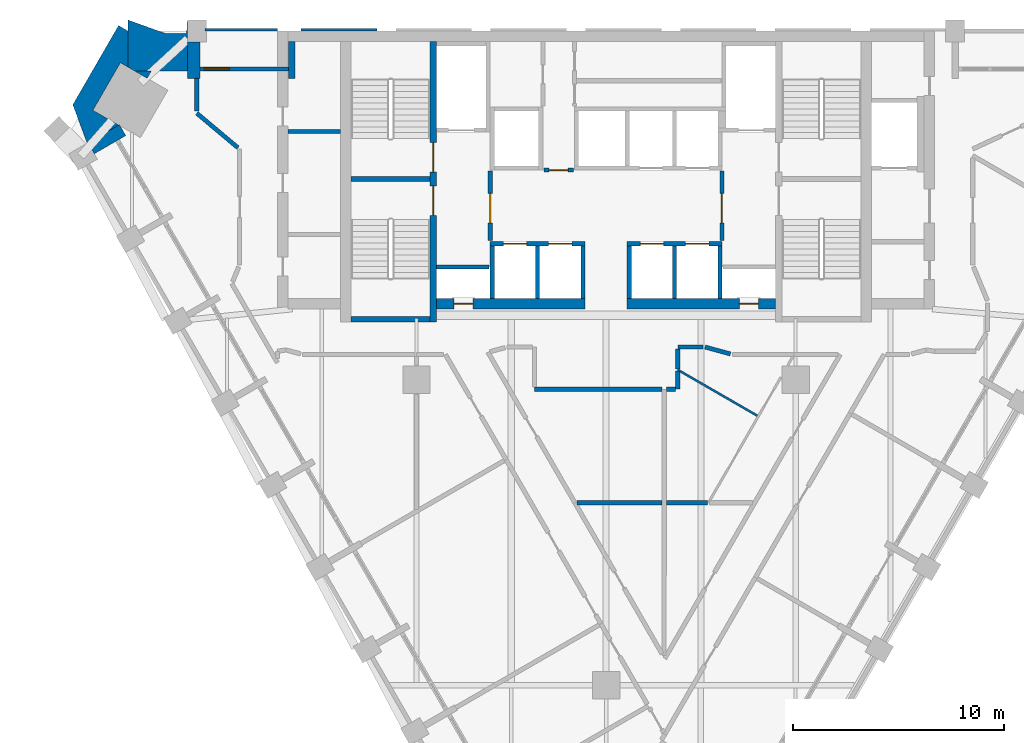
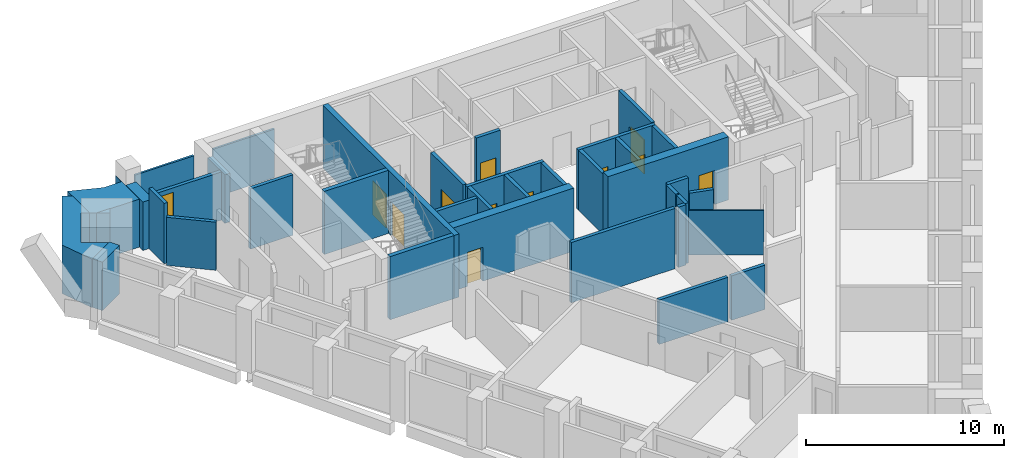
# One storey, part 5 of 9: 38 walls, 12 doors, 12 openings.
"""IFC4 building model written with IfcOpenShell, lengths in metres."""

from ifc_helpers import new_model, si_unit, direction, frame, frame_2d, origin, place, context, subcontext, project, spatial, polyline, rectangle, outline, extrude, material, layer, layer_set, type_object, element, fill, save


model = new_model("IFC4")

# Units and contexts
model_context = context("Model", 3, precision=1e-05, world=origin(), true_north=direction((0.0, 1.0)))
body_context = subcontext(model_context, "Body", "Model", "MODEL_VIEW")
ifc_project = project(units=[si_unit("LENGTHUNIT", "METRE"), si_unit("AREAUNIT", "SQUARE_METRE"), si_unit("VOLUMEUNIT", "CUBIC_METRE"), si_unit("PLANEANGLEUNIT", "RADIAN"), si_unit("MASSUNIT", "GRAM", prefix="KILO")], contexts=[model_context])

# Site, building, storey
site_placement = place(None, origin())
site = spatial("IfcSite", under=ifc_project, at=site_placement, CompositionType="ELEMENT")
building_placement = place(site_placement, origin())
building = spatial("IfcBuilding", under=site, at=building_placement, Name="Calabash Gate Tower", CompositionType="ELEMENT")
storey_placement = place(building_placement, frame((0.0, 0.0, 179.699951171875)))
storey = spatial("IfcBuildingStorey", under=building, at=storey_placement, Name="L42", CompositionType="ELEMENT", Elevation=179.699951171875)

# Walls
ifc_material_1 = material(Name="Terracotta brick masonry, exposed face", Category="masonry")
ifc_layer_1 = layer(ifc_material_1, 2.425048828125)
ifc_layer_set_1 = layer_set([ifc_layer_1], Name="Brick corner mass wall 2425")
wall_type_1 = type_object("IfcWallType", Name="Brick corner mass wall 2425", PredefinedType="SOLIDWALL", material=ifc_layer_set_1)
wall_1_placement = place(storey_placement, origin())
element("IfcWall", 1, at=wall_1_placement, inside=storey, type_object=wall_type_1, Name="Brick corner pier S12 4a", PredefinedType="SOLIDWALL", context=body_context, shape_type="SweptSolid", body=[
    extrude(outline(polyline([(-22.376220703125, 17.152587890625), (-19.878173828125, 17.152587890625), (-19.878173828125, 19.57763671875), (-19.916015625, 18.93701171875), (-20.916015625, 18.93701171875), (-22.68798828125, 19.57763671875), (-22.68798828125, 17.33251953125), (-22.376220703125, 17.152587890625)])), origin(), (0.0, 0.0, 1.0), 2.9736328125),
])
wall_2_placement = place(storey_placement, origin())
element("IfcWall", 2, at=wall_2_placement, inside=storey, type_object=wall_type_1, Name="Brick corner pier S12 4ba", PredefinedType="SOLIDWALL", context=body_context, shape_type="SweptSolid", body=[
    extrude(outline(polyline([(-24.630126953125, 13.730712890625), (-23.137939453125, 14.590087890625), (-24.353759765625, 15.292236328125), (-23.0537109375, 17.5439453125), (-22.68798828125, 17.33251953125), (-22.68798828125, 19.052490234375), (-23.142578125, 19.31494140625), (-25.313232421875, 15.555419921875), (-24.630126953125, 13.730712890625)])), origin(), (0.0, 0.0, 1.0), 3.0),
])
wall_3_placement = place(storey_placement, origin())
element("IfcWall", 3, at=wall_3_placement, inside=storey, type_object=wall_type_1, Name="Brick corner pier S12 4bb", PredefinedType="SOLIDWALL", context=body_context, shape_type="SweptSolid", body=[
    extrude(outline(polyline([(-21.5908203125, 17.152587890625), (-22.376220703125, 17.152587890625), (-21.787353515625, 16.8125), (-21.5908203125, 17.152587890625)])), origin(), (0.0, 0.0, 1.0), 3.0),
])
ifc_material_2 = material(Name="Terracotta brick masonry, exposed face", Category="masonry")
ifc_layer_2 = layer(ifc_material_2, 0.300048828125)
ifc_layer_set_2 = layer_set([ifc_layer_2], Name="Brick loggia cheek wall 300")
wall_type_2 = type_object("IfcWallType", Name="Brick loggia cheek wall 300", PredefinedType="SOLIDWALL", material=ifc_layer_set_2)
wall_4_placement = place(storey_placement, frame((-22.954345703125, 14.349609375, 0.0), z_axis=(0.0, 0.0, 1.0), x_axis=(-0.865994550583, -0.500053435504, 0.0)))
element("IfcWall", 4, at=wall_4_placement, inside=storey, type_object=wall_type_2, Name="Loggia cheek S12 SW0.0", PredefinedType="SOLIDWALL", context=body_context, shape_type="SweptSolid", body=[
    extrude(rectangle(XDim=1.723876953125, YDim=0.60009765625, at=frame_2d((0.86181640625, 0.0))), origin(), (0.0, 0.0, 1.0), 3.0),
])
wall_5_placement = place(storey_placement, origin())
element("IfcWall", 5, at=wall_5_placement, inside=storey, type_object=wall_type_2, Name="Loggia cheek S12 N6.8", PredefinedType="SOLIDWALL", context=body_context, shape_type="SweptSolid", body=[
    extrude(outline(polyline([(-15.078125, 16.802490234375), (-15.078125, 18.5546875), (-14.778076171875, 18.5546875), (-14.778076171875, 16.802490234375), (-15.078125, 16.802490234375)])), origin(), (0.0, 0.0, 1.0), 3.0),
])
wall_6_placement = place(storey_placement, origin())
element("IfcWall", 6, at=wall_6_placement, inside=storey, type_object=wall_type_2, Name="Loggia cheek S12 N6.9", PredefinedType="SOLIDWALL", context=body_context, shape_type="SweptSolid", body=[
    extrude(outline(polyline([(-19.878173828125, 18.527587890625), (-19.878173828125, 16.802490234375), (-19.278076171875, 16.802490234375), (-19.278076171875, 18.527587890625), (-19.878173828125, 18.527587890625)])), origin(), (0.0, 0.0, 1.0), 3.0),
])
ifc_material_3 = material(Name="Gypsum board on steel studs, mineral wool", Category="steel")
ifc_layer_3 = layer(ifc_material_3, 0.199951171875)
ifc_layer_set_3 = layer_set([ifc_layer_3], Name="Core partition 200 gypsum board")
wall_type_3 = type_object("IfcWallType", Name="Core partition 200 gypsum board", PredefinedType="PARTITIONING", material=ifc_layer_set_3)
wall_7_placement = place(storey_placement, frame((-15.10009765625, 14.28271484375, 0.0), z_axis=(0.0, 0.0, 1.0), x_axis=(1.0, 0.0, 0.0)))
element("IfcWall", 7, at=wall_7_placement, inside=storey, type_object=wall_type_3, Name="Core partition", PredefinedType="PARTITIONING", context=body_context, shape_type="SweptSolid", body=[
    extrude(rectangle(XDim=2.5, YDim=0.199951171875, at=frame_2d((1.25, 0.0))), origin(), (0.0, 0.0, 1.0), 3.72998046875),
])
ifc_material_4 = material(Name="Concrete C70/85", Category="concrete")
ifc_layer_4 = layer(ifc_material_4, 0.25)
ifc_layer_set_4 = layer_set([ifc_layer_4], Name="Core wall 250 Concrete C70/85")
wall_type_4 = type_object("IfcWallType", Name="Core wall 250 Concrete C70/85", PredefinedType="SHEAR", material=ifc_layer_set_4)
for number, where, z_axis, x_axis, name in (
    (8, (-12.10009765625, 12.027587890625, 0.0), (0.0, 0.0, 1.0), (1.0, 0.0, 0.0), "Core wall Z3-MIDW L42"),
    (9, (-12.10009765625, 5.377685546875, 0.0), (0.0, 0.0, 1.0), (1.0, 0.0, 0.0), "Core wall Z3-SSW L42"),
):
    element("IfcWall", number, at=place(storey_placement, frame(where, z_axis=z_axis, x_axis=x_axis)), inside=storey, type_object=wall_type_4, Name=name, PredefinedType="SHEAR", context=body_context, shape_type="SweptSolid", body=[
        extrude(rectangle(XDim=3.75, YDim=0.25, at=frame_2d((1.875, 0.0))), origin(), (0.0, 0.0, 1.0), 3.900146484375),
    ])

# Wall, openings, doors
ifc_material_5 = material(Name="Concrete C70/85", Category="concrete")
ifc_layer_5 = layer(ifc_material_5, 0.300048828125)
ifc_layer_set_5 = layer_set([ifc_layer_5], Name="Core wall 300 Concrete C70/85")
wall_type_5 = type_object("IfcWallType", Name="Core wall 300 Concrete C70/85", PredefinedType="SHEAR", material=ifc_layer_set_5)
wall_8_placement = place(storey_placement, frame((-8.199951171875, 5.252685546875, 0.0), z_axis=(0.0, 0.0, 1.0), x_axis=(0.0, 1.0, 0.0)))
wall_8 = element("IfcWall", 10, at=wall_8_placement, inside=storey, type_object=wall_type_5, Name="Core wall Z3-PARTW L42", PredefinedType="SHEAR", context=body_context, shape_type="SweptSolid", body=[
    extrude(rectangle(XDim=13.2998046875, YDim=0.300048828125, at=frame_2d((6.64990234375, 0.0))), origin(), (0.0, 0.0, 1.0), 3.900146484375),
])
opening_1_placement = place(wall_8_placement, frame((7.10009765625, 0.0, 0.0)))
opening_1 = element("IfcOpeningElement", 11, at=opening_1_placement, cuts=wall_8, Name="Opening O4-015", PredefinedType="OPENING", context=body_context, shape_type="SweptSolid", body=[
    extrude(rectangle(XDim=1.39990234375, YDim=2.10009765625, at=frame_2d((0.699951171875, 1.050048828125))), frame((0.0, 0.159912109375, 0.0), z_axis=(0.0, -1.0, 0.0), x_axis=(1.0, 0.0, 0.0)), (0.0, 0.0, 1.0), 0.320068359375),
])
opening_2_placement = place(wall_8_placement, frame((5.050048828125, 0.0, 0.0)))
opening_2 = element("IfcOpeningElement", 12, at=opening_2_placement, cuts=wall_8, Name="Opening O4-016", PredefinedType="OPENING", context=body_context, shape_type="SweptSolid", body=[
    extrude(rectangle(XDim=1.39990234375, YDim=2.10009765625, at=frame_2d((0.699951171875, 1.050048828125))), frame((0.0, 0.159912109375, 0.0), z_axis=(0.0, -1.0, 0.0), x_axis=(1.0, 0.0, 0.0)), (0.0, 0.0, 1.0), 0.320068359375),
])
ifc_material_6 = material(Name="Steel fire door set with fire-resisting glazing", Category="steel")
door_type_1 = type_object("IfcDoorType", Name="Fire door D05 1400x2100 FD90", OperationType="NOTDEFINED", PredefinedType="DOOR", material=ifc_material_6)
door_1_placement = place(opening_1_placement, origin())
door_1 = element("IfcDoor", 13, at=door_1_placement, inside=storey, type_object=door_type_1, Name="Exit stair door ST1", OperationType="SINGLE_SWING_LEFT", OverallHeight=2.10009765625, OverallWidth=1.39990234375, PredefinedType="DOOR", context=body_context, shape_type="SweptSolid", body=[
    extrude(rectangle(XDim=1.39990234375, YDim=2.10009765625, at=frame_2d((0.699951171875, 1.050048828125))), frame((0.0, 0.02490234375, 0.0), z_axis=(0.0, -1.0, 0.0), x_axis=(1.0, 0.0, 0.0)), (0.0, 0.0, 1.0), 0.050048828125),
])
fill(opening_1, door_1)
door_2_placement = place(opening_2_placement, origin())
door_2 = element("IfcDoor", 14, at=door_2_placement, inside=storey, type_object=door_type_1, Name="Exit stair door ST2", OperationType="SINGLE_SWING_LEFT", OverallHeight=2.10009765625, OverallWidth=1.39990234375, PredefinedType="DOOR", context=body_context, shape_type="SweptSolid", body=[
    extrude(rectangle(XDim=1.39990234375, YDim=2.10009765625, at=frame_2d((0.699951171875, 1.050048828125))), frame((0.0, 0.02490234375, 0.0), z_axis=(0.0, -1.0, 0.0), x_axis=(1.0, 0.0, 0.0)), (0.0, 0.0, 1.0), 0.050048828125),
])
fill(opening_2, door_2)

# Wall, opening, door
ifc_material_7 = material(Name="Concrete C70/85", Category="concrete")
ifc_layer_6 = layer(ifc_material_7, 0.5)
ifc_layer_set_6 = layer_set([ifc_layer_6], Name="Core wall 500 Concrete C70/85")
wall_type_6 = type_object("IfcWallType", Name="Core wall 500 Concrete C70/85", PredefinedType="SHEAR", material=ifc_layer_set_6)
wall_9_placement = place(storey_placement, frame((-8.050048828125, 6.1025390625, 0.0), z_axis=(0.0, 0.0, 1.0), x_axis=(1.0, 0.0, 0.0)))
wall_9 = element("IfcWall", 15, at=wall_9_placement, inside=storey, type_object=wall_type_6, Name="Core wall Z3-SA L42", PredefinedType="SHEAR", context=body_context, shape_type="SweptSolid", body=[
    extrude(rectangle(XDim=7.050048828125, YDim=0.5, at=frame_2d((3.52490234375, 0.0))), origin(), (0.0, 0.0, 1.0), 3.900146484375),
])
opening_3_placement = place(wall_9_placement, frame((0.824951171875, 0.0, 0.0)))
opening_3 = element("IfcOpeningElement", 16, at=opening_3_placement, cuts=wall_9, Name="Opening O4-014", PredefinedType="OPENING", context=body_context, shape_type="SweptSolid", body=[
    extrude(rectangle(XDim=0.89990234375, YDim=2.10009765625, at=frame_2d((0.449951171875, 1.050048828125))), frame((0.0, 0.260009765625, 0.0), z_axis=(0.0, -1.0, 0.0), x_axis=(1.0, 0.0, 0.0)), (0.0, 0.0, 1.0), 0.52001953125),
])
ifc_material_8 = material(Name="Steel fire door set with fire-resisting glazing", Category="steel")
door_type_2 = type_object("IfcDoorType", Name="Fire door D07 900x2100 FD90", OperationType="NOTDEFINED", PredefinedType="DOOR", material=ifc_material_8)
door_3_placement = place(opening_3_placement, origin())
door_3 = element("IfcDoor", 17, at=door_3_placement, inside=storey, type_object=door_type_2, Name="Electrical Riser W door", OperationType="SINGLE_SWING_LEFT", OverallHeight=2.10009765625, OverallWidth=0.89990234375, PredefinedType="DOOR", context=body_context, shape_type="SweptSolid", body=[
    extrude(rectangle(XDim=0.89990234375, YDim=2.10009765625, at=frame_2d((0.449951171875, 1.050048828125))), frame((0.0, 0.02490234375, 0.0), z_axis=(0.0, -1.0, 0.0), x_axis=(1.0, 0.0, 0.0)), (0.0, 0.0, 1.0), 0.050048828125),
])
fill(opening_3, door_3)

wall_10_placement = place(storey_placement, frame((1.0, 6.1025390625, 0.0), z_axis=(0.0, 0.0, 1.0), x_axis=(1.0, 0.0, 0.0)))
wall_10 = element("IfcWall", 18, at=wall_10_placement, inside=storey, type_object=wall_type_6, Name="Core wall Z3-SB L42", PredefinedType="SHEAR", context=body_context, shape_type="SweptSolid", body=[
    extrude(rectangle(XDim=7.050048828125, YDim=0.5, at=frame_2d((3.52490234375, 0.0))), origin(), (0.0, 0.0, 1.0), 3.900146484375),
])
opening_4_placement = place(wall_10_placement, frame((5.324951171875, 0.0, 0.0)))
opening_4 = element("IfcOpeningElement", 19, at=opening_4_placement, cuts=wall_10, Name="Opening O4-013", PredefinedType="OPENING", context=body_context, shape_type="SweptSolid", body=[
    extrude(rectangle(XDim=0.89990234375, YDim=2.10009765625, at=frame_2d((0.449951171875, 1.050048828125))), frame((0.0, 0.260009765625, 0.0), z_axis=(0.0, -1.0, 0.0), x_axis=(1.0, 0.0, 0.0)), (0.0, 0.0, 1.0), 0.52001953125),
])
door_4_placement = place(opening_4_placement, origin())
door_4 = element("IfcDoor", 20, at=door_4_placement, inside=storey, type_object=door_type_2, Name="Mechanical Riser E door", OperationType="SINGLE_SWING_RIGHT", OverallHeight=2.10009765625, OverallWidth=0.89990234375, PredefinedType="DOOR", context=body_context, shape_type="SweptSolid", body=[
    extrude(rectangle(XDim=0.89990234375, YDim=2.10009765625, at=frame_2d((0.449951171875, 1.050048828125))), frame((0.0, 0.02490234375, 0.0), z_axis=(0.0, -1.0, 0.0), x_axis=(1.0, 0.0, 0.0)), (0.0, 0.0, 1.0), 0.050048828125),
])
fill(opening_4, door_4)

# Walls
ifc_material_9 = material(Name="Gypsum board on steel studs, mineral wool", Category="steel")
ifc_layer_7 = layer(ifc_material_9, 0.10009765625)
ifc_layer_set_7 = layer_set([ifc_layer_7], Name="Partition 100 gypsum board")
wall_type_7 = type_object("IfcWallType", Name="Partition 100 gypsum board", PredefinedType="PARTITIONING", material=ifc_layer_set_7)
wall_11_placement = place(storey_placement, frame((3.400390625, 2.974609375, 0.0), z_axis=(0.0, 0.0, 1.0), x_axis=(0.866040401994, -0.49997402144, 0.0)))
element("IfcWall", 21, at=wall_11_placement, inside=storey, type_object=wall_type_7, Name="Partition", PredefinedType="PARTITIONING", context=body_context, shape_type="SweptSolid", body=[
    extrude(rectangle(XDim=4.368408203125, YDim=0.10009765625, at=frame_2d((2.18408203125, 0.0))), origin(), (0.0, 0.0, 1.0), 2.74169921875),
])
ifc_material_10 = material(Name="Gypsum board on steel studs, mineral wool", Category="steel")
ifc_layer_8 = layer(ifc_material_10, 0.199951171875)
ifc_layer_set_8 = layer_set([ifc_layer_8], Name="Partition 200 gypsum board EI 60")
wall_type_8 = type_object("IfcWallType", Name="Partition 200 gypsum board EI 60", PredefinedType="PARTITIONING", material=ifc_layer_set_8)
wall_12_placement = place(storey_placement, frame((-1.379638671875, -3.341796875, 0.0), z_axis=(0.0, 0.0, 1.0), x_axis=(1.0, 0.0, 0.0)))
element("IfcWall", 22, at=wall_12_placement, inside=storey, type_object=wall_type_8, Name="Partition", PredefinedType="PARTITIONING", context=body_context, shape_type="SweptSolid", body=[
    extrude(rectangle(XDim=4.033935546875, YDim=0.199951171875, at=frame_2d((2.01708984375, 0.0))), origin(), (0.0, 0.0, 1.0), 2.74169921875),
])
wall_13_placement = place(storey_placement, frame((2.856201171875, -3.337890625, 0.0), z_axis=(0.0, 0.0, 1.0), x_axis=(1.0, 0.0, 0.0)))
element("IfcWall", 23, at=wall_13_placement, inside=storey, type_object=wall_type_8, Name="Partition", PredefinedType="PARTITIONING", context=body_context, shape_type="SweptSolid", body=[
    extrude(rectangle(XDim=1.95361328125, YDim=0.199951171875, at=frame_2d((0.976806640625, 0.0))), origin(), (0.0, 0.0, 1.0), 2.74169921875),
])
wall_14_placement = place(storey_placement, frame((-3.400146484375, 2.052490234375, 0.0), z_axis=(0.0, 0.0, 1.0), x_axis=(0.999999947967, -0.000322593636, 0.0)))
element("IfcWall", 24, at=wall_14_placement, inside=storey, type_object=wall_type_8, Name="Partition", PredefinedType="PARTITIONING", context=body_context, shape_type="SweptSolid", body=[
    extrude(rectangle(XDim=6.054443359375, YDim=0.199951171875, at=frame_2d((3.02734375, 0.0))), origin(), (0.0, 0.0, 1.0), 3.72998046875),
])
wall_15_placement = place(storey_placement, frame((2.856201171875, 2.05078125, 0.0), z_axis=(0.0, 0.0, 1.0), x_axis=(0.999996218015, 0.002750264626, 0.0)))
element("IfcWall", 25, at=wall_15_placement, inside=storey, type_object=wall_type_8, Name="Partition", PredefinedType="PARTITIONING", context=body_context, shape_type="SweptSolid", body=[
    extrude(rectangle(XDim=0.44384765625, YDim=0.199951171875, at=frame_2d((0.221923828125, 0.0))), origin(), (0.0, 0.0, 1.0), 3.72998046875),
])
wall_16_placement = place(storey_placement, frame((3.39990234375, 2.052490234375, 0.0), z_axis=(0.0, 0.0, 1.0), x_axis=(0.002247816743, 0.999997473657, 0.0)))
element("IfcWall", 26, at=wall_16_placement, inside=storey, type_object=wall_type_8, Name="Partition", PredefinedType="PARTITIONING", context=body_context, shape_type="SweptSolid", body=[
    extrude(rectangle(XDim=0.868896484375, YDim=0.199951171875, at=frame_2d((0.4345703125, 0.0))), origin(), (0.0, 0.0, 1.0), 3.72998046875),
])
wall_17_placement = place(storey_placement, frame((4.699951171875, 4.052490234375, 0.0), z_axis=(0.0, 0.0, 1.0), x_axis=(0.965137813174, -0.26174224264, 0.0)))
element("IfcWall", 27, at=wall_17_placement, inside=storey, type_object=wall_type_8, Name="Partition", PredefinedType="PARTITIONING", context=body_context, shape_type="SweptSolid", body=[
    extrude(rectangle(XDim=1.2470703125, YDim=0.199951171875, at=frame_2d((0.62353515625, 0.0))), origin(), (0.0, 0.0, 1.0), 2.74169921875),
])
wall_18_placement = place(storey_placement, frame((3.402099609375, 3.021728515625, 0.0), z_axis=(0.0, 0.0, 1.0), x_axis=(0.0, 1.0, 0.0)))
element("IfcWall", 28, at=wall_18_placement, inside=storey, type_object=wall_type_8, Name="Partition", PredefinedType="PARTITIONING", context=body_context, shape_type="SweptSolid", body=[
    extrude(rectangle(XDim=0.928955078125, YDim=0.199951171875, at=frame_2d((0.46435546875, 0.0))), origin(), (0.0, 0.0, 1.0), 3.72998046875),
])
wall_19_placement = place(storey_placement, frame((3.402099609375, 4.050537109375, 0.0), z_axis=(0.0, 0.0, 1.0), x_axis=(0.999998982503, 0.001426532072, 0.0)))
element("IfcWall", 29, at=wall_19_placement, inside=storey, type_object=wall_type_8, Name="Partition", PredefinedType="PARTITIONING", context=body_context, shape_type="SweptSolid", body=[
    extrude(rectangle(XDim=1.197998046875, YDim=0.199951171875, at=frame_2d((0.59912109375, 0.0))), origin(), (0.0, 0.0, 1.0), 3.72998046875),
])
wall_20_placement = place(storey_placement, frame((-19.428466796875, 15.15234375, 0.0), z_axis=(0.0, 0.0, 1.0), x_axis=(0.766371208191, -0.642397985097, 0.0)))
element("IfcWall", 30, at=wall_20_placement, inside=storey, type_object=wall_type_8, Name="Partition", PredefinedType="PARTITIONING", context=body_context, shape_type="SweptSolid", body=[
    extrude(rectangle(XDim=2.54638671875, YDim=0.199951171875, at=frame_2d((1.273193359375, 0.0))), origin(), (0.0, 0.0, 1.0), 2.9736328125),
])
wall_21_placement = place(storey_placement, frame((-19.4287109375, 16.802490234375, 0.0), z_axis=(0.0, 0.0, 1.0), x_axis=(0.000157480313, -0.9999999876, 0.0)))
element("IfcWall", 31, at=wall_21_placement, inside=storey, type_object=wall_type_8, Name="Partition", PredefinedType="PARTITIONING", context=body_context, shape_type="SweptSolid", body=[
    extrude(rectangle(XDim=1.55029296875, YDim=0.199951171875, at=frame_2d((0.775146484375, 0.0))), origin(), (0.0, 0.0, 1.0), 3.72998046875),
])
ifc_material_11 = material(Name="Concrete C40/50", Category="concrete")
ifc_layer_9 = layer(ifc_material_11, 0.199951171875)
ifc_layer_set_9 = layer_set([ifc_layer_9], Name="Shaft wall 200 Concrete C40/50")
wall_type_9 = type_object("IfcWallType", Name="Shaft wall 200 Concrete C40/50", PredefinedType="SOLIDWALL", material=ifc_layer_set_9)
for number, where, z_axis, x_axis, name in (
    (32, (-5.39990234375, 6.3525390625, 0.0), (0.0, 0.0, 1.0), (0.0, 1.0, 0.0), "Shaft wall"),
    (33, (-3.25, 6.3525390625, 0.0), (0.0, 0.0, 1.0), (0.0, 1.0, 0.0), "Shaft wall"),
    (34, (-1.10009765625, 6.3525390625, 0.0), (0.0, 0.0, 1.0), (0.0, 1.0, 0.0), "Shaft wall"),
    (35, (1.10009765625, 6.3525390625, 0.0), (0.0, 0.0, 1.0), (0.0, 1.0, 0.0), "Shaft wall"),
    (36, (3.25, 6.3525390625, 0.0), (0.0, 0.0, 1.0), (0.0, 1.0, 0.0), "Shaft wall"),
    (37, (5.39990234375, 6.3525390625, 0.0), (0.0, 0.0, 1.0), (0.0, 1.0, 0.0), "Shaft wall"),
    (38, (-8.050048828125, 7.8525390625, 0.0), (0.0, 0.0, 1.0), (1.0, 0.0, 0.0), "Shaft wall"),
):
    element("IfcWall", number, at=place(storey_placement, frame(where, z_axis=z_axis, x_axis=x_axis)), inside=storey, type_object=wall_type_9, Name=name, PredefinedType="SOLIDWALL", context=body_context, shape_type="SweptSolid", body=[
        extrude(rectangle(XDim=2.5, YDim=0.199951171875, at=frame_2d((1.25, 0.0))), origin(), (0.0, 0.0, 1.0), 3.72998046875),
    ])

# Wall, openings, doors
wall_22_placement = place(storey_placement, frame((-5.5, 8.95263671875, 0.0), z_axis=(0.0, 0.0, 1.0), x_axis=(1.0, 0.0, 0.0)))
wall_22 = element("IfcWall", 39, at=wall_22_placement, inside=storey, type_object=wall_type_9, Name="Shaft wall", PredefinedType="SOLIDWALL", context=body_context, shape_type="SweptSolid", body=[
    extrude(rectangle(XDim=4.5, YDim=0.199951171875, at=frame_2d((2.25, 0.0))), origin(), (0.0, 0.0, 1.0), 3.72998046875),
])
opening_5_placement = place(wall_22_placement, frame((0.625, 0.0, 0.0)))
opening_5 = element("IfcOpeningElement", 40, at=opening_5_placement, cuts=wall_22, Name="Opening LD-HR1", PredefinedType="OPENING", context=body_context, shape_type="SweptSolid", body=[
    extrude(rectangle(XDim=1.10009765625, YDim=2.10009765625, at=frame_2d((0.550048828125, 1.050048828125))), frame((0.0, 0.10986328125, 0.0), z_axis=(0.0, -1.0, 0.0), x_axis=(1.0, 0.0, 0.0)), (0.0, 0.0, 1.0), 0.219970703125),
])
opening_6_placement = place(wall_22_placement, frame((2.77490234375, 0.0, 0.0)))
opening_6 = element("IfcOpeningElement", 41, at=opening_6_placement, cuts=wall_22, Name="Opening LD-HR2", PredefinedType="OPENING", context=body_context, shape_type="SweptSolid", body=[
    extrude(rectangle(XDim=1.10009765625, YDim=2.10009765625, at=frame_2d((0.550048828125, 1.050048828125))), frame((0.0, 0.10986328125, 0.0), z_axis=(0.0, -1.0, 0.0), x_axis=(1.0, 0.0, 0.0)), (0.0, 0.0, 1.0), 0.219970703125),
])
ifc_material_12 = material(Name="Stainless steel sliding door leaves", Category="steel")
door_type_3 = type_object("IfcDoorType", Name="Lift landing door LS1 1100x2100 FD90", OperationType="DOUBLE_DOOR_SLIDING", PredefinedType="DOOR", material=ifc_material_12)
door_5_placement = place(opening_5_placement, origin())
door_5 = element("IfcDoor", 42, at=door_5_placement, inside=storey, type_object=door_type_3, Name="Lift landing door HR1", OperationType="DOUBLE_DOOR_SLIDING", OverallHeight=2.10009765625, OverallWidth=1.10009765625, PredefinedType="DOOR", context=body_context, shape_type="SweptSolid", body=[
    extrude(rectangle(XDim=1.10009765625, YDim=2.10009765625, at=frame_2d((0.550048828125, 1.050048828125))), frame((0.0, 0.02490234375, 0.0), z_axis=(0.0, -1.0, 0.0), x_axis=(1.0, 0.0, 0.0)), (0.0, 0.0, 1.0), 0.050048828125),
])
fill(opening_5, door_5)
door_6_placement = place(opening_6_placement, origin())
door_6 = element("IfcDoor", 43, at=door_6_placement, inside=storey, type_object=door_type_3, Name="Lift landing door HR2", OperationType="DOUBLE_DOOR_SLIDING", OverallHeight=2.10009765625, OverallWidth=1.10009765625, PredefinedType="DOOR", context=body_context, shape_type="SweptSolid", body=[
    extrude(rectangle(XDim=1.10009765625, YDim=2.10009765625, at=frame_2d((0.550048828125, 1.050048828125))), frame((0.0, 0.02490234375, 0.0), z_axis=(0.0, -1.0, 0.0), x_axis=(1.0, 0.0, 0.0)), (0.0, 0.0, 1.0), 0.050048828125),
])
fill(opening_6, door_6)

wall_23_placement = place(storey_placement, frame((1.0, 8.95263671875, 0.0), z_axis=(0.0, 0.0, 1.0), x_axis=(1.0, 0.0, 0.0)))
wall_23 = element("IfcWall", 44, at=wall_23_placement, inside=storey, type_object=wall_type_9, Name="Shaft wall", PredefinedType="SOLIDWALL", context=body_context, shape_type="SweptSolid", body=[
    extrude(rectangle(XDim=4.5, YDim=0.199951171875, at=frame_2d((2.25, 0.0))), origin(), (0.0, 0.0, 1.0), 3.72998046875),
])
opening_7_placement = place(wall_23_placement, frame((0.625, 0.0, 0.0)))
opening_7 = element("IfcOpeningElement", 45, at=opening_7_placement, cuts=wall_23, Name="Opening LD-HR3", PredefinedType="OPENING", context=body_context, shape_type="SweptSolid", body=[
    extrude(rectangle(XDim=1.10009765625, YDim=2.10009765625, at=frame_2d((0.550048828125, 1.050048828125))), frame((0.0, 0.10986328125, 0.0), z_axis=(0.0, -1.0, 0.0), x_axis=(1.0, 0.0, 0.0)), (0.0, 0.0, 1.0), 0.219970703125),
])
opening_8_placement = place(wall_23_placement, frame((2.77490234375, 0.0, 0.0)))
opening_8 = element("IfcOpeningElement", 46, at=opening_8_placement, cuts=wall_23, Name="Opening LD-HR4", PredefinedType="OPENING", context=body_context, shape_type="SweptSolid", body=[
    extrude(rectangle(XDim=1.10009765625, YDim=2.10009765625, at=frame_2d((0.550048828125, 1.050048828125))), frame((0.0, 0.10986328125, 0.0), z_axis=(0.0, -1.0, 0.0), x_axis=(1.0, 0.0, 0.0)), (0.0, 0.0, 1.0), 0.219970703125),
])
door_7_placement = place(opening_7_placement, origin())
door_7 = element("IfcDoor", 47, at=door_7_placement, inside=storey, type_object=door_type_3, Name="Lift landing door HR3", OperationType="DOUBLE_DOOR_SLIDING", OverallHeight=2.10009765625, OverallWidth=1.10009765625, PredefinedType="DOOR", context=body_context, shape_type="SweptSolid", body=[
    extrude(rectangle(XDim=1.10009765625, YDim=2.10009765625, at=frame_2d((0.550048828125, 1.050048828125))), frame((0.0, 0.02490234375, 0.0), z_axis=(0.0, -1.0, 0.0), x_axis=(1.0, 0.0, 0.0)), (0.0, 0.0, 1.0), 0.050048828125),
])
fill(opening_7, door_7)
door_8_placement = place(opening_8_placement, origin())
door_8 = element("IfcDoor", 48, at=door_8_placement, inside=storey, type_object=door_type_3, Name="Lift landing door HR4", OperationType="DOUBLE_DOOR_SLIDING", OverallHeight=2.10009765625, OverallWidth=1.10009765625, PredefinedType="DOOR", context=body_context, shape_type="SweptSolid", body=[
    extrude(rectangle(XDim=1.10009765625, YDim=2.10009765625, at=frame_2d((0.550048828125, 1.050048828125))), frame((0.0, 0.02490234375, 0.0), z_axis=(0.0, -1.0, 0.0), x_axis=(1.0, 0.0, 0.0)), (0.0, 0.0, 1.0), 0.050048828125),
])
fill(opening_8, door_8)

# Wall, opening, door
wall_24_placement = place(storey_placement, frame((-5.5, 9.1025390625, 0.0), z_axis=(0.0, 0.0, 1.0), x_axis=(0.0, 1.0, 0.0)))
wall_24 = element("IfcWall", 49, at=wall_24_placement, inside=storey, type_object=wall_type_9, Name="Shaft wall", PredefinedType="SOLIDWALL", context=body_context, shape_type="SweptSolid", body=[
    extrude(rectangle(XDim=3.300048828125, YDim=0.199951171875, at=frame_2d((1.64990234375, 0.0))), origin(), (0.0, 0.0, 1.0), 3.72998046875),
])
opening_9_placement = place(wall_24_placement, frame((0.85009765625, 0.0, 0.0)))
opening_9 = element("IfcOpeningElement", 50, at=opening_9_placement, cuts=wall_24, Name="Opening O4-009", PredefinedType="OPENING", context=body_context, shape_type="SweptSolid", body=[
    extrude(rectangle(XDim=1.39990234375, YDim=2.10009765625, at=frame_2d((0.699951171875, 1.050048828125))), frame((0.0, 0.10986328125, 0.0), z_axis=(0.0, -1.0, 0.0), x_axis=(1.0, 0.0, 0.0)), (0.0, 0.0, 1.0), 0.219970703125),
])
door_9_placement = place(opening_9_placement, origin())
door_9 = element("IfcDoor", 51, at=door_9_placement, inside=storey, type_object=door_type_1, Name="Firefighting Lobby W door", OperationType="SINGLE_SWING_RIGHT", OverallHeight=2.10009765625, OverallWidth=1.39990234375, PredefinedType="DOOR", context=body_context, shape_type="SweptSolid", body=[
    extrude(rectangle(XDim=1.39990234375, YDim=2.10009765625, at=frame_2d((0.699951171875, 1.050048828125))), frame((0.0, 0.02490234375, 0.0), z_axis=(0.0, -1.0, 0.0), x_axis=(1.0, 0.0, 0.0)), (0.0, 0.0, 1.0), 0.050048828125),
])
fill(opening_9, door_9)

wall_25_placement = place(storey_placement, frame((5.5, 9.1025390625, 0.0), z_axis=(0.0, 0.0, 1.0), x_axis=(0.0, 1.0, 0.0)))
wall_25 = element("IfcWall", 52, at=wall_25_placement, inside=storey, type_object=wall_type_9, Name="Shaft wall", PredefinedType="SOLIDWALL", context=body_context, shape_type="SweptSolid", body=[
    extrude(rectangle(XDim=3.300048828125, YDim=0.199951171875, at=frame_2d((1.64990234375, 0.0))), origin(), (0.0, 0.0, 1.0), 3.72998046875),
])
opening_10_placement = place(wall_25_placement, frame((0.85009765625, 0.0, 0.0)))
opening_10 = element("IfcOpeningElement", 53, at=opening_10_placement, cuts=wall_25, Name="Opening O4-008", PredefinedType="OPENING", context=body_context, shape_type="SweptSolid", body=[
    extrude(rectangle(XDim=1.39990234375, YDim=2.10009765625, at=frame_2d((0.699951171875, 1.050048828125))), frame((0.0, 0.10986328125, 0.0), z_axis=(0.0, -1.0, 0.0), x_axis=(1.0, 0.0, 0.0)), (0.0, 0.0, 1.0), 0.219970703125),
])
door_10_placement = place(opening_10_placement, origin())
door_10 = element("IfcDoor", 54, at=door_10_placement, inside=storey, type_object=door_type_1, Name="Firefighting Lobby E door", OperationType="SINGLE_SWING_LEFT", OverallHeight=2.10009765625, OverallWidth=1.39990234375, PredefinedType="DOOR", context=body_context, shape_type="SweptSolid", body=[
    extrude(rectangle(XDim=1.39990234375, YDim=2.10009765625, at=frame_2d((0.699951171875, 1.050048828125))), frame((0.0, 0.02490234375, 0.0), z_axis=(0.0, -1.0, 0.0), x_axis=(1.0, 0.0, 0.0)), (0.0, 0.0, 1.0), 0.050048828125),
])
fill(opening_10, door_10)

wall_26_placement = place(storey_placement, frame((-2.949951171875, 12.45263671875, 0.0), z_axis=(0.0, 0.0, 1.0), x_axis=(1.0, 0.0, 0.0)))
wall_26 = element("IfcWall", 55, at=wall_26_placement, inside=storey, type_object=wall_type_9, Name="Shaft wall", PredefinedType="SOLIDWALL", context=body_context, shape_type="SweptSolid", body=[
    extrude(rectangle(XDim=1.39990234375, YDim=0.199951171875, at=frame_2d((0.699951171875, 0.0))), origin(), (0.0, 0.0, 1.0), 3.72998046875),
])
opening_11_placement = place(wall_26_placement, frame((0.25, 0.0, 0.0)))
opening_11 = element("IfcOpeningElement", 56, at=opening_11_placement, cuts=wall_26, Name="Opening O4-007", PredefinedType="OPENING", context=body_context, shape_type="SweptSolid", body=[
    extrude(rectangle(XDim=0.89990234375, YDim=2.10009765625, at=frame_2d((0.449951171875, 1.050048828125))), frame((0.0, 0.10986328125, 0.0), z_axis=(0.0, -1.0, 0.0), x_axis=(1.0, 0.0, 0.0)), (0.0, 0.0, 1.0), 0.219970703125),
])
ifc_material_13 = material(Name="Steel fire door set with fire-resisting glazing", Category="steel")
door_type_4 = type_object("IfcDoorType", Name="Fire door D06 900x2100 FD60", OperationType="NOTDEFINED", PredefinedType="DOOR", material=ifc_material_13)
door_11_placement = place(opening_11_placement, origin())
door_11 = element("IfcDoor", 57, at=door_11_placement, inside=storey, type_object=door_type_4, Name="Service Corridor door", OperationType="SINGLE_SWING_RIGHT", OverallHeight=2.10009765625, OverallWidth=0.89990234375, PredefinedType="DOOR", context=body_context, shape_type="SweptSolid", body=[
    extrude(rectangle(XDim=0.89990234375, YDim=2.10009765625, at=frame_2d((0.449951171875, 1.050048828125))), frame((0.0, 0.02490234375, 0.0), z_axis=(0.0, -1.0, 0.0), x_axis=(1.0, 0.0, 0.0)), (0.0, 0.0, 1.0), 0.050048828125),
])
fill(opening_11, door_11)

# Walls
ifc_material_14 = material(Name="Terracotta brick masonry, perforated", Category="masonry")
ifc_layer_10 = layer(ifc_material_14, 0.1201171875)
ifc_layer_set_10 = layer_set([ifc_layer_10], Name="Terracotta jaali cladding B 120")
wall_type_10 = type_object("IfcWallType", Name="Terracotta jaali cladding B 120", PredefinedType="SOLIDWALL", material=ifc_layer_set_10)
wall_27_placement = place(storey_placement, frame((-15.598388671875, 19.112548828125, 0.0), z_axis=(0.0, 0.0, 1.0), x_axis=(-1.0, 0.0, 0.0)))
element("IfcWall", 58, at=wall_27_placement, inside=storey, type_object=wall_type_10, Name="Jaali cladding S12 N6.c1", PredefinedType="SOLIDWALL", context=body_context, shape_type="SweptSolid", body=[
    extrude(rectangle(XDim=3.43994140625, YDim=0.1201171875, at=frame_2d((1.719970703125, 0.0))), origin(), (0.0, 0.0, 1.0), 3.0),
])
ifc_material_15 = material(Name="Terracotta louvre blades in an aluminium frame", Category="masonry")
ifc_layer_11 = layer(ifc_material_15, 0.1201171875)
ifc_layer_set_11 = layer_set([ifc_layer_11], Name="Terracotta vent louvre cladding 120")
wall_type_11 = type_object("IfcWallType", Name="Terracotta vent louvre cladding 120", PredefinedType="ELEMENTEDWALL", material=ifc_layer_set_11)
wall_28_placement = place(storey_placement, origin())
element("IfcWall", 59, at=wall_28_placement, inside=storey, type_object=wall_type_11, Name="Vent louvre cladding S12 N6.8", PredefinedType="ELEMENTEDWALL", context=body_context, shape_type="SweptSolid", body=[
    extrude(outline(polyline([(-14.478271484375, 19.172607421875), (-14.478271484375, 19.052490234375), (-10.878173828125, 19.052490234375), (-10.878173828125, 19.172607421875), (-14.478271484375, 19.172607421875)])), origin(), (0.0, 0.0, 1.0), 3.0),
])

# Wall, opening, door
ifc_material_16 = material(Name="Aluminium framed window wall with insulated spandrel", Category="aluminium")
ifc_layer_12 = layer(ifc_material_16, 0.199951171875)
ifc_layer_set_12 = layer_set([ifc_layer_12], Name="Window wall 200")
wall_type_12 = type_object("IfcWallType", Name="Window wall 200", PredefinedType="ELEMENTEDWALL", material=ifc_layer_set_12)
wall_29_placement = place(storey_placement, frame((-15.078125, 17.25244140625, 0.0), z_axis=(0.0, 0.0, 1.0), x_axis=(-1.0, 0.0, 0.0)))
wall_29 = element("IfcWall", 60, at=wall_29_placement, inside=storey, type_object=wall_type_12, Name="Window wall S12 N6.9", PredefinedType="ELEMENTEDWALL", context=body_context, shape_type="SweptSolid", body=[
    extrude(rectangle(XDim=4.199951171875, YDim=0.199951171875, at=frame_2d((2.10009765625, 0.0))), origin(), (0.0, 0.0, 1.0), 2.9736328125),
])
opening_12_placement = place(wall_29_placement, frame((2.800048828125, 0.0, 0.0)))
opening_12 = element("IfcOpeningElement", 61, at=opening_12_placement, cuts=wall_29, Name="Opening O4-020", PredefinedType="OPENING", context=body_context, shape_type="SweptSolid", body=[
    extrude(rectangle(XDim=1.199951171875, YDim=2.699951171875, at=frame_2d((0.60009765625, 1.35009765625))), frame((0.0, 0.10986328125, 0.0), z_axis=(0.0, -1.0, 0.0), x_axis=(1.0, 0.0, 0.0)), (0.0, 0.0, 1.0), 0.219970703125),
])
ifc_material_17 = material(Name="Anodised aluminium frame, bronze finish, impact-rated laminated clear glazing", Category="aluminium")
door_type_5 = type_object("IfcDoorType", Name="Loggia door DO1 1200x2700", OperationType="SLIDING_TO_LEFT", PredefinedType="DOOR", material=ifc_material_17)
door_12_placement = place(opening_12_placement, origin())
door_12 = element("IfcDoor", 62, at=door_12_placement, inside=storey, type_object=door_type_5, Name="Loggia door S12 N6.9", OperationType="SINGLE_SWING_LEFT", OverallHeight=2.699951171875, OverallWidth=1.199951171875, PredefinedType="DOOR", context=body_context, shape_type="SweptSolid", body=[
    extrude(rectangle(XDim=1.199951171875, YDim=2.699951171875, at=frame_2d((0.60009765625, 1.35009765625))), frame((0.0, 0.02490234375, 0.0), z_axis=(0.0, -1.0, 0.0), x_axis=(1.0, 0.0, 0.0)), (0.0, 0.0, 1.0), 0.050048828125),
])
fill(opening_12, door_12)

save(model, "model.ifc")
